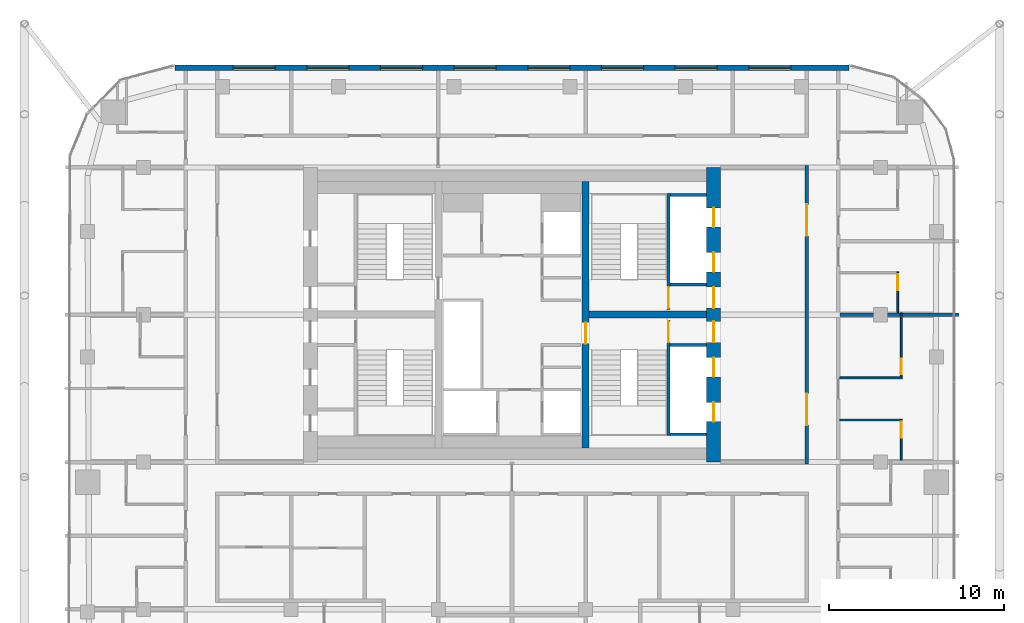
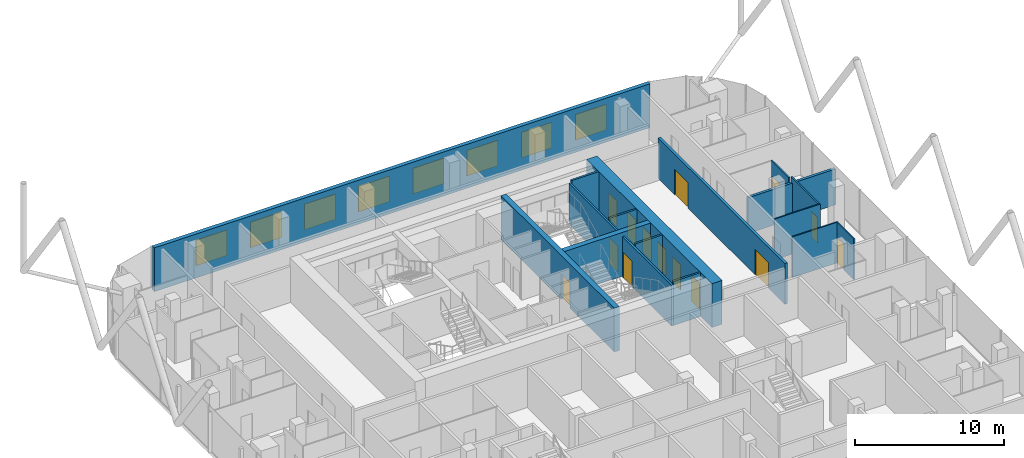
# One storey, part 26 of 28: 17 walls, 14 doors, 8 windows, 22 openings.
"""IFC4 building model written with IfcOpenShell, lengths in metres."""

from ifc_helpers import new_model, si_unit, direction, frame, frame_2d, origin, place, context, subcontext, project, spatial, rectangle, extrude, material, layer, layer_set, type_object, element, fill, save


model = new_model("IFC4")

# Units and contexts
model_context = context("Model", 3, precision=1e-05, world=origin(), true_north=direction((0.0, 1.0)))
body_context = subcontext(model_context, "Body", "Model", "MODEL_VIEW")
ifc_project = project(units=[si_unit("LENGTHUNIT", "METRE"), si_unit("AREAUNIT", "SQUARE_METRE"), si_unit("VOLUMEUNIT", "CUBIC_METRE"), si_unit("PLANEANGLEUNIT", "RADIAN"), si_unit("MASSUNIT", "GRAM", prefix="KILO")], contexts=[model_context])

# Site, building, storey
site_placement = place(None, origin())
site = spatial("IfcSite", under=ifc_project, at=site_placement, CompositionType="ELEMENT")
building_placement = place(site_placement, origin())
building = spatial("IfcBuilding", under=site, at=building_placement, Name="Marenta Gate Hotel Tower", CompositionType="ELEMENT")
storey_placement = place(building_placement, frame((0.0, 0.0, 212.89990234375)))
storey = spatial("IfcBuildingStorey", under=building, at=storey_placement, Name="L49", CompositionType="ELEMENT", Elevation=212.89990234375)

# Wall, openings, windows
ifc_material_1 = material(Name="Concrete C40 board-marked", Category="concrete")
ifc_layer_1 = layer(ifc_material_1, 0.300048828125)
ifc_layer_set_1 = layer_set([ifc_layer_1], Name="Concrete C40 board-marked")
wall_type_1 = type_object("IfcWallType", Name="Board-marked concrete wall 300 mm", PredefinedType="NOTDEFINED", material=ifc_layer_set_1)
wall_1_placement = place(storey_placement, frame((19.205810546875, 22.489990234375, 0.0), z_axis=(0.0, 0.0, 1.0), x_axis=(-1.0, 0.0, 0.0)))
wall_1 = element("IfcWall", 1, at=wall_1_placement, inside=storey, type_object=wall_type_1, Name="L49-CLD-N00", PredefinedType="NOTDEFINED", context=body_context, shape_type="SweptSolid", body=[
    extrude(rectangle(XDim=38.41162109375, YDim=0.300048828125, at=frame_2d((19.205810546875, 0.0))), origin(), (0.0, 0.0, 1.0), 3.60009765625),
])
opening_1_placement = place(wall_1_placement, frame((3.305908203125, 0.0, 0.89990234375)))
opening_1 = element("IfcOpeningElement", 2, at=opening_1_placement, cuts=wall_1, Name="Opening W1", PredefinedType="OPENING", context=body_context, shape_type="SweptSolid", body=[
    extrude(rectangle(XDim=2.39990234375, YDim=2.10009765625, at=frame_2d((1.199951171875, 1.050048828125))), frame((0.0, 0.14990234375, 0.0), z_axis=(0.0, -1.0, 0.0), x_axis=(1.0, 0.0, 0.0)), (0.0, 0.0, 1.0), 0.300048828125),
])
opening_2_placement = place(wall_1_placement, frame((7.505859375, 0.0, 0.89990234375)))
opening_2 = element("IfcOpeningElement", 3, at=opening_2_placement, cuts=wall_1, Name="Opening W1", PredefinedType="OPENING", context=body_context, shape_type="SweptSolid", body=[
    extrude(rectangle(XDim=2.39990234375, YDim=2.10009765625, at=frame_2d((1.199951171875, 1.050048828125))), frame((0.0, 0.14990234375, 0.0), z_axis=(0.0, -1.0, 0.0), x_axis=(1.0, 0.0, 0.0)), (0.0, 0.0, 1.0), 0.300048828125),
])
opening_3_placement = place(wall_1_placement, frame((11.705810546875, 0.0, 0.89990234375)))
opening_3 = element("IfcOpeningElement", 4, at=opening_3_placement, cuts=wall_1, Name="Opening W1", PredefinedType="OPENING", context=body_context, shape_type="SweptSolid", body=[
    extrude(rectangle(XDim=2.39990234375, YDim=2.10009765625, at=frame_2d((1.199951171875, 1.050048828125))), frame((0.0, 0.14990234375, 0.0), z_axis=(0.0, -1.0, 0.0), x_axis=(1.0, 0.0, 0.0)), (0.0, 0.0, 1.0), 0.300048828125),
])
opening_4_placement = place(wall_1_placement, frame((15.906005859375, 0.0, 0.89990234375)))
opening_4 = element("IfcOpeningElement", 5, at=opening_4_placement, cuts=wall_1, Name="Opening W1", PredefinedType="OPENING", context=body_context, shape_type="SweptSolid", body=[
    extrude(rectangle(XDim=2.39990234375, YDim=2.10009765625, at=frame_2d((1.199951171875, 1.050048828125))), frame((0.0, 0.14990234375, 0.0), z_axis=(0.0, -1.0, 0.0), x_axis=(1.0, 0.0, 0.0)), (0.0, 0.0, 1.0), 0.300048828125),
])
opening_5_placement = place(wall_1_placement, frame((20.10595703125, 0.0, 0.89990234375)))
opening_5 = element("IfcOpeningElement", 6, at=opening_5_placement, cuts=wall_1, Name="Opening W1", PredefinedType="OPENING", context=body_context, shape_type="SweptSolid", body=[
    extrude(rectangle(XDim=2.39990234375, YDim=2.10009765625, at=frame_2d((1.199951171875, 1.050048828125))), frame((0.0, 0.14990234375, 0.0), z_axis=(0.0, -1.0, 0.0), x_axis=(1.0, 0.0, 0.0)), (0.0, 0.0, 1.0), 0.300048828125),
])
opening_6_placement = place(wall_1_placement, frame((24.305908203125, 0.0, 0.89990234375)))
opening_6 = element("IfcOpeningElement", 7, at=opening_6_placement, cuts=wall_1, Name="Opening W1", PredefinedType="OPENING", context=body_context, shape_type="SweptSolid", body=[
    extrude(rectangle(XDim=2.39990234375, YDim=2.10009765625, at=frame_2d((1.199951171875, 1.050048828125))), frame((0.0, 0.14990234375, 0.0), z_axis=(0.0, -1.0, 0.0), x_axis=(1.0, 0.0, 0.0)), (0.0, 0.0, 1.0), 0.300048828125),
])
opening_7_placement = place(wall_1_placement, frame((28.505859375, 0.0, 0.89990234375)))
opening_7 = element("IfcOpeningElement", 8, at=opening_7_placement, cuts=wall_1, Name="Opening W1", PredefinedType="OPENING", context=body_context, shape_type="SweptSolid", body=[
    extrude(rectangle(XDim=2.39990234375, YDim=2.10009765625, at=frame_2d((1.199951171875, 1.050048828125))), frame((0.0, 0.14990234375, 0.0), z_axis=(0.0, -1.0, 0.0), x_axis=(1.0, 0.0, 0.0)), (0.0, 0.0, 1.0), 0.300048828125),
])
opening_8_placement = place(wall_1_placement, frame((32.705810546875, 0.0, 0.89990234375)))
opening_8 = element("IfcOpeningElement", 9, at=opening_8_placement, cuts=wall_1, Name="Opening W1", PredefinedType="OPENING", context=body_context, shape_type="SweptSolid", body=[
    extrude(rectangle(XDim=2.39990234375, YDim=2.10009765625, at=frame_2d((1.199951171875, 1.050048828125))), frame((0.0, 0.14990234375, 0.0), z_axis=(0.0, -1.0, 0.0), x_axis=(1.0, 0.0, 0.0)), (0.0, 0.0, 1.0), 0.300048828125),
])
ifc_material_2 = material(Name="Tinted insulated glass in bronze anodised frame", Category="glass")
window_type = type_object("IfcWindowType", Name="Window W1 2400x2100 bronze frame", PartitioningType="SINGLE_PANEL", PredefinedType="WINDOW", material=ifc_material_2)
window_1_placement = place(opening_1_placement, origin())
window_1 = element("IfcWindow", 10, at=window_1_placement, inside=storey, type_object=window_type, Name="Window W1", OverallHeight=2.10009765625, OverallWidth=2.39990234375, PartitioningType="SINGLE_PANEL", PredefinedType="WINDOW", context=body_context, shape_type="SweptSolid", body=[
    extrude(rectangle(XDim=2.39990234375, YDim=2.10009765625, at=frame_2d((1.199951171875, 1.050048828125))), frame((0.0, 0.030029296875, 0.0), z_axis=(0.0, -1.0, 0.0), x_axis=(1.0, 0.0, 0.0)), (0.0, 0.0, 1.0), 0.06005859375),
])
fill(opening_1, window_1)
window_2_placement = place(opening_2_placement, origin())
window_2 = element("IfcWindow", 11, at=window_2_placement, inside=storey, type_object=window_type, Name="Window W1", OverallHeight=2.10009765625, OverallWidth=2.39990234375, PartitioningType="SINGLE_PANEL", PredefinedType="WINDOW", context=body_context, shape_type="SweptSolid", body=[
    extrude(rectangle(XDim=2.39990234375, YDim=2.10009765625, at=frame_2d((1.199951171875, 1.050048828125))), frame((0.0, 0.030029296875, 0.0), z_axis=(0.0, -1.0, 0.0), x_axis=(1.0, 0.0, 0.0)), (0.0, 0.0, 1.0), 0.06005859375),
])
fill(opening_2, window_2)
window_3_placement = place(opening_3_placement, origin())
window_3 = element("IfcWindow", 12, at=window_3_placement, inside=storey, type_object=window_type, Name="Window W1", OverallHeight=2.10009765625, OverallWidth=2.39990234375, PartitioningType="SINGLE_PANEL", PredefinedType="WINDOW", context=body_context, shape_type="SweptSolid", body=[
    extrude(rectangle(XDim=2.39990234375, YDim=2.10009765625, at=frame_2d((1.199951171875, 1.050048828125))), frame((0.0, 0.030029296875, 0.0), z_axis=(0.0, -1.0, 0.0), x_axis=(1.0, 0.0, 0.0)), (0.0, 0.0, 1.0), 0.06005859375),
])
fill(opening_3, window_3)
window_4_placement = place(opening_4_placement, origin())
window_4 = element("IfcWindow", 13, at=window_4_placement, inside=storey, type_object=window_type, Name="Window W1", OverallHeight=2.10009765625, OverallWidth=2.39990234375, PartitioningType="SINGLE_PANEL", PredefinedType="WINDOW", context=body_context, shape_type="SweptSolid", body=[
    extrude(rectangle(XDim=2.39990234375, YDim=2.10009765625, at=frame_2d((1.199951171875, 1.050048828125))), frame((0.0, 0.030029296875, 0.0), z_axis=(0.0, -1.0, 0.0), x_axis=(1.0, 0.0, 0.0)), (0.0, 0.0, 1.0), 0.06005859375),
])
fill(opening_4, window_4)
window_5_placement = place(opening_5_placement, origin())
window_5 = element("IfcWindow", 14, at=window_5_placement, inside=storey, type_object=window_type, Name="Window W1", OverallHeight=2.10009765625, OverallWidth=2.39990234375, PartitioningType="SINGLE_PANEL", PredefinedType="WINDOW", context=body_context, shape_type="SweptSolid", body=[
    extrude(rectangle(XDim=2.39990234375, YDim=2.10009765625, at=frame_2d((1.199951171875, 1.050048828125))), frame((0.0, 0.030029296875, 0.0), z_axis=(0.0, -1.0, 0.0), x_axis=(1.0, 0.0, 0.0)), (0.0, 0.0, 1.0), 0.06005859375),
])
fill(opening_5, window_5)
window_6_placement = place(opening_6_placement, origin())
window_6 = element("IfcWindow", 15, at=window_6_placement, inside=storey, type_object=window_type, Name="Window W1", OverallHeight=2.10009765625, OverallWidth=2.39990234375, PartitioningType="SINGLE_PANEL", PredefinedType="WINDOW", context=body_context, shape_type="SweptSolid", body=[
    extrude(rectangle(XDim=2.39990234375, YDim=2.10009765625, at=frame_2d((1.199951171875, 1.050048828125))), frame((0.0, 0.030029296875, 0.0), z_axis=(0.0, -1.0, 0.0), x_axis=(1.0, 0.0, 0.0)), (0.0, 0.0, 1.0), 0.06005859375),
])
fill(opening_6, window_6)
window_7_placement = place(opening_7_placement, origin())
window_7 = element("IfcWindow", 16, at=window_7_placement, inside=storey, type_object=window_type, Name="Window W1", OverallHeight=2.10009765625, OverallWidth=2.39990234375, PartitioningType="SINGLE_PANEL", PredefinedType="WINDOW", context=body_context, shape_type="SweptSolid", body=[
    extrude(rectangle(XDim=2.39990234375, YDim=2.10009765625, at=frame_2d((1.199951171875, 1.050048828125))), frame((0.0, 0.030029296875, 0.0), z_axis=(0.0, -1.0, 0.0), x_axis=(1.0, 0.0, 0.0)), (0.0, 0.0, 1.0), 0.06005859375),
])
fill(opening_7, window_7)
window_8_placement = place(opening_8_placement, origin())
window_8 = element("IfcWindow", 17, at=window_8_placement, inside=storey, type_object=window_type, Name="Window W1", OverallHeight=2.10009765625, OverallWidth=2.39990234375, PartitioningType="SINGLE_PANEL", PredefinedType="WINDOW", context=body_context, shape_type="SweptSolid", body=[
    extrude(rectangle(XDim=2.39990234375, YDim=2.10009765625, at=frame_2d((1.199951171875, 1.050048828125))), frame((0.0, 0.030029296875, 0.0), z_axis=(0.0, -1.0, 0.0), x_axis=(1.0, 0.0, 0.0)), (0.0, 0.0, 1.0), 0.06005859375),
])
fill(opening_8, window_8)

# Wall, openings, doors
ifc_material_3 = material(Name="Concrete blockwork", Category="masonry")
ifc_layer_2 = layer(ifc_material_3, 0.199951171875)
ifc_layer_set_2 = layer_set([ifc_layer_2], Name="Concrete blockwork")
wall_type_2 = type_object("IfcWallType", Name="Core boundary wall 200 REI 180", PredefinedType="PARTITIONING", material=ifc_layer_set_2)
wall_2_placement = place(storey_placement, frame((16.800048828125, -0.10009765625, 0.0), z_axis=(0.0, 0.0, 1.0), x_axis=(0.0, 1.0, 0.0)))
wall_2 = element("IfcWall", 18, at=wall_2_placement, inside=storey, type_object=wall_type_2, Name="L49-CP-BW-E", PredefinedType="PARTITIONING", context=body_context, shape_type="SweptSolid", body=[
    extrude(rectangle(XDim=17.0, YDim=0.199951171875, at=frame_2d((8.5, 0.0))), origin(), (0.0, 0.0, 1.0), 3.340087890625),
])
opening_9_placement = place(wall_2_placement, frame((2.199951171875, 0.0, 0.0)))
opening_9 = element("IfcOpeningElement", 19, at=opening_9_placement, cuts=wall_2, Name="Opening ED-Ea-B", PredefinedType="OPENING", context=body_context, shape_type="SweptSolid", body=[
    extrude(rectangle(XDim=1.800048828125, YDim=2.10009765625, at=frame_2d((0.89990234375, 1.050048828125))), frame((0.0, 0.10009765625, 0.0), z_axis=(0.0, -1.0, 0.0), x_axis=(1.0, 0.0, 0.0)), (0.0, 0.0, 1.0), 0.199951171875),
])
opening_10_placement = place(wall_2_placement, frame((13.0, 0.0, 0.0)))
opening_10 = element("IfcOpeningElement", 20, at=opening_10_placement, cuts=wall_2, Name="Opening ED-Eb-B", PredefinedType="OPENING", context=body_context, shape_type="SweptSolid", body=[
    extrude(rectangle(XDim=1.800048828125, YDim=2.10009765625, at=frame_2d((0.89990234375, 1.050048828125))), frame((0.0, 0.10009765625, 0.0), z_axis=(0.0, -1.0, 0.0), x_axis=(1.0, 0.0, 0.0)), (0.0, 0.0, 1.0), 0.199951171875),
])
ifc_material_4 = material(Name="Steel", Category="steel")
door_type_1 = type_object("IfcDoorType", Name="Core lobby entrance door 1800x2100 EI 60", OperationType="DOUBLE_DOOR_SINGLE_SWING", PredefinedType="DOOR", material=ifc_material_4)
door_1_placement = place(opening_9_placement, origin())
door_1 = element("IfcDoor", 21, at=door_1_placement, inside=storey, type_object=door_type_1, Name="ED-Ea-B", OperationType="DOUBLE_DOOR_SINGLE_SWING", OverallHeight=2.10009765625, OverallWidth=1.800048828125, PredefinedType="DOOR", context=body_context, shape_type="SweptSolid", body=[
    extrude(rectangle(XDim=1.800048828125, YDim=2.10009765625, at=frame_2d((0.89990234375, 1.050048828125))), frame((0.0, 0.02490234375, 0.0), z_axis=(0.0, -1.0, 0.0), x_axis=(1.0, 0.0, 0.0)), (0.0, 0.0, 1.0), 0.050048828125),
])
fill(opening_9, door_1)
door_2_placement = place(opening_10_placement, origin())
door_2 = element("IfcDoor", 22, at=door_2_placement, inside=storey, type_object=door_type_1, Name="ED-Eb-B", OperationType="DOUBLE_DOOR_SINGLE_SWING", OverallHeight=2.10009765625, OverallWidth=1.800048828125, PredefinedType="DOOR", context=body_context, shape_type="SweptSolid", body=[
    extrude(rectangle(XDim=1.800048828125, YDim=2.10009765625, at=frame_2d((0.89990234375, 1.050048828125))), frame((0.0, 0.02490234375, 0.0), z_axis=(0.0, -1.0, 0.0), x_axis=(1.0, 0.0, 0.0)), (0.0, 0.0, 1.0), 0.050048828125),
])
fill(opening_10, door_2)

# Walls
ifc_material_5 = material(Name="Concrete C40", Category="concrete")
ifc_layer_3 = layer(ifc_material_5, 0.14990234375)
ifc_layer_set_3 = layer_set([ifc_layer_3], Name="Concrete C40")
wall_type_3 = type_object("IfcWallType", Name="Core shaft wall 150 REI 180", PredefinedType="SHEAR", material=ifc_layer_set_3)
for number, where, z_axis, x_axis, name in (
    (23, (9.0, 6.675048828125, 0.0), (0.0, 0.0, 1.0), (1.0, 0.0, 0.0), "L49-SHF-SW-ES-2"),
    (24, (9.0, 1.574951171875, 0.0), (0.0, 0.0, 1.0), (1.0, 0.0, 0.0), "L49-SHF-SW-ES-5"),
    (25, (9.0, 10.125, 0.0), (0.0, 0.0, 1.0), (1.0, 0.0, 0.0), "L49-SHF-SW-EN-2"),
    (26, (9.0, 15.22509765625, 0.0), (0.0, 0.0, 1.0), (1.0, 0.0, 0.0), "L49-SHF-SW-EN-5"),
):
    element("IfcWall", number, at=place(storey_placement, frame(where, z_axis=z_axis, x_axis=x_axis)), inside=storey, type_object=wall_type_3, Name=name, PredefinedType="SHEAR", context=body_context, shape_type="SweptSolid", body=[
        extrude(rectangle(XDim=2.10009765625, YDim=0.14990234375, at=frame_2d((1.050048828125, 0.0))), origin(), (0.0, 0.0, 1.0), 3.60009765625),
    ])

# Wall, opening, door
ifc_material_6 = material(Name="Concrete C40", Category="concrete")
ifc_layer_4 = layer(ifc_material_6, 0.14990234375)
ifc_layer_set_4 = layer_set([ifc_layer_4], Name="Concrete C40")
wall_type_4 = type_object("IfcWallType", Name="Core stair enclosure wall 150 REI 180", PredefinedType="SHEAR", material=ifc_layer_set_4)
wall_3_placement = place(storey_placement, frame((8.925048828125, 1.5, 0.0), z_axis=(0.0, 0.0, 1.0), x_axis=(0.0, 1.0, 0.0)))
wall_3 = element("IfcWall", 27, at=wall_3_placement, inside=storey, type_object=wall_type_4, Name="L49-SHF-SW-ES-3", PredefinedType="SHEAR", context=body_context, shape_type="SweptSolid", body=[
    extrude(rectangle(XDim=6.60009765625, YDim=0.14990234375, at=frame_2d((3.300048828125, 0.0))), origin(), (0.0, 0.0, 1.0), 3.340087890625),
])
opening_11_placement = place(wall_3_placement, frame((5.324951171875, 0.0, 0.0)))
opening_11 = element("IfcOpeningElement", 28, at=opening_11_placement, cuts=wall_3, Name="Opening SD-ES", PredefinedType="OPENING", context=body_context, shape_type="SweptSolid", body=[
    extrude(rectangle(XDim=1.199951171875, YDim=2.10009765625, at=frame_2d((0.60009765625, 1.050048828125))), frame((0.0, 0.074951171875, 0.0), z_axis=(0.0, -1.0, 0.0), x_axis=(1.0, 0.0, 0.0)), (0.0, 0.0, 1.0), 0.14990234375),
])
ifc_material_7 = material(Name="Steel", Category="steel")
door_type_2 = type_object("IfcDoorType", Name="Core stair door 1200x2100 FD60", OperationType="SINGLE_SWING_LEFT", PredefinedType="DOOR", material=ifc_material_7)
door_3_placement = place(opening_11_placement, origin())
door_3 = element("IfcDoor", 29, at=door_3_placement, inside=storey, type_object=door_type_2, Name="SD-ES", OperationType="SINGLE_SWING_LEFT", OverallHeight=2.10009765625, OverallWidth=1.199951171875, PredefinedType="DOOR", context=body_context, shape_type="SweptSolid", body=[
    extrude(rectangle(XDim=1.199951171875, YDim=2.10009765625, at=frame_2d((0.60009765625, 1.050048828125))), frame((0.0, 0.02490234375, 0.0), z_axis=(0.0, -1.0, 0.0), x_axis=(1.0, 0.0, 0.0)), (0.0, 0.0, 1.0), 0.050048828125),
])
fill(opening_11, door_3)

wall_4_placement = place(storey_placement, frame((8.925048828125, 8.699951171875, 0.0), z_axis=(0.0, 0.0, 1.0), x_axis=(0.0, 1.0, 0.0)))
wall_4 = element("IfcWall", 30, at=wall_4_placement, inside=storey, type_object=wall_type_4, Name="L49-SHF-SW-EN-3", PredefinedType="SHEAR", context=body_context, shape_type="SweptSolid", body=[
    extrude(rectangle(XDim=6.60009765625, YDim=0.14990234375, at=frame_2d((3.300048828125, 0.0))), origin(), (0.0, 0.0, 1.0), 3.340087890625),
])
opening_12_placement = place(wall_4_placement, frame((0.074951171875, 0.0, 0.0)))
opening_12 = element("IfcOpeningElement", 31, at=opening_12_placement, cuts=wall_4, Name="Opening SD-EN", PredefinedType="OPENING", context=body_context, shape_type="SweptSolid", body=[
    extrude(rectangle(XDim=1.199951171875, YDim=2.10009765625, at=frame_2d((0.60009765625, 1.050048828125))), frame((0.0, 0.074951171875, 0.0), z_axis=(0.0, -1.0, 0.0), x_axis=(1.0, 0.0, 0.0)), (0.0, 0.0, 1.0), 0.14990234375),
])
door_4_placement = place(opening_12_placement, origin())
door_4 = element("IfcDoor", 32, at=door_4_placement, inside=storey, type_object=door_type_2, Name="SD-EN", OperationType="SINGLE_SWING_LEFT", OverallHeight=2.10009765625, OverallWidth=1.199951171875, PredefinedType="DOOR", context=body_context, shape_type="SweptSolid", body=[
    extrude(rectangle(XDim=1.199951171875, YDim=2.10009765625, at=frame_2d((0.60009765625, 1.050048828125))), frame((0.0, 0.02490234375, 0.0), z_axis=(0.0, -1.0, 0.0), x_axis=(1.0, 0.0, 0.0)), (0.0, 0.0, 1.0), 0.050048828125),
])
fill(opening_12, door_4)

# Wall, openings, doors
ifc_material_8 = material(Name="Concrete C60", Category="concrete")
ifc_layer_5 = layer(ifc_material_8, 0.800048828125)
ifc_layer_set_5 = layer_set([ifc_layer_5], Name="Concrete C60")
wall_type_5 = type_object("IfcWallType", Name="Core wall 800 C60", PredefinedType="SHEAR", material=ifc_layer_set_5)
wall_5_placement = place(storey_placement, frame((11.5, 0.0, 0.0), z_axis=(0.0, 0.0, 1.0), x_axis=(0.0, 1.0, 0.0)))
wall_5 = element("IfcWall", 33, at=wall_5_placement, inside=storey, type_object=wall_type_5, Name="L49-CORE-E", PredefinedType="SHEAR", context=body_context, shape_type="SweptSolid", body=[
    extrude(rectangle(XDim=16.800048828125, YDim=0.800048828125, at=frame_2d((8.39990234375, 0.0))), origin(), (0.0, 0.0, 1.0), 3.60009765625),
])
opening_13_placement = place(wall_5_placement, frame((2.300048828125, 0.0, 0.0)))
opening_13 = element("IfcOpeningElement", 34, at=opening_13_placement, cuts=wall_5, Name="Opening LD-HR1", PredefinedType="OPENING", context=body_context, shape_type="SweptSolid", body=[
    extrude(rectangle(XDim=1.10009765625, YDim=2.10009765625, at=frame_2d((0.550048828125, 1.050048828125))), frame((0.0, 0.39990234375, 0.0), z_axis=(0.0, -1.0, 0.0), x_axis=(1.0, 0.0, 0.0)), (0.0, 0.0, 1.0), 0.800048828125),
])
opening_14_placement = place(wall_5_placement, frame((4.85009765625, 0.0, 0.0)))
opening_14 = element("IfcOpeningElement", 35, at=opening_14_placement, cuts=wall_5, Name="Opening LD-HR2", PredefinedType="OPENING", context=body_context, shape_type="SweptSolid", body=[
    extrude(rectangle(XDim=1.10009765625, YDim=2.10009765625, at=frame_2d((0.550048828125, 1.050048828125))), frame((0.0, 0.39990234375, 0.0), z_axis=(0.0, -1.0, 0.0), x_axis=(1.0, 0.0, 0.0)), (0.0, 0.0, 1.0), 0.800048828125),
])
opening_15_placement = place(wall_5_placement, frame((6.824951171875, 0.0, 0.0)))
opening_15 = element("IfcOpeningElement", 36, at=opening_15_placement, cuts=wall_5, Name="Opening PD-ES", PredefinedType="OPENING", context=body_context, shape_type="SweptSolid", body=[
    extrude(rectangle(XDim=1.199951171875, YDim=2.10009765625, at=frame_2d((0.60009765625, 1.050048828125))), frame((0.0, 0.39990234375, 0.0), z_axis=(0.0, -1.0, 0.0), x_axis=(1.0, 0.0, 0.0)), (0.0, 0.0, 1.0), 0.800048828125),
])
opening_16_placement = place(wall_5_placement, frame((13.39990234375, 0.0, 0.0)))
opening_16 = element("IfcOpeningElement", 37, at=opening_16_placement, cuts=wall_5, Name="Opening LD-HR4", PredefinedType="OPENING", context=body_context, shape_type="SweptSolid", body=[
    extrude(rectangle(XDim=1.10009765625, YDim=2.10009765625, at=frame_2d((0.550048828125, 1.050048828125))), frame((0.0, 0.39990234375, 0.0), z_axis=(0.0, -1.0, 0.0), x_axis=(1.0, 0.0, 0.0)), (0.0, 0.0, 1.0), 0.800048828125),
])
opening_17_placement = place(wall_5_placement, frame((10.85009765625, 0.0, 0.0)))
opening_17 = element("IfcOpeningElement", 38, at=opening_17_placement, cuts=wall_5, Name="Opening LD-HR3", PredefinedType="OPENING", context=body_context, shape_type="SweptSolid", body=[
    extrude(rectangle(XDim=1.10009765625, YDim=2.10009765625, at=frame_2d((0.550048828125, 1.050048828125))), frame((0.0, 0.39990234375, 0.0), z_axis=(0.0, -1.0, 0.0), x_axis=(1.0, 0.0, 0.0)), (0.0, 0.0, 1.0), 0.800048828125),
])
opening_18_placement = place(wall_5_placement, frame((8.77490234375, 0.0, 0.0)))
opening_18 = element("IfcOpeningElement", 39, at=opening_18_placement, cuts=wall_5, Name="Opening PD-EN", PredefinedType="OPENING", context=body_context, shape_type="SweptSolid", body=[
    extrude(rectangle(XDim=1.199951171875, YDim=2.10009765625, at=frame_2d((0.60009765625, 1.050048828125))), frame((0.0, 0.39990234375, 0.0), z_axis=(0.0, -1.0, 0.0), x_axis=(1.0, 0.0, 0.0)), (0.0, 0.0, 1.0), 0.800048828125),
])
ifc_material_9 = material(Name="Steel", Category="steel")
door_type_3 = type_object("IfcDoorType", Name="Core lift landing door 1100x2100 E 60", OperationType="SLIDING_TO_LEFT", PredefinedType="DOOR", material=ifc_material_9)
door_5_placement = place(opening_13_placement, origin())
door_5 = element("IfcDoor", 40, at=door_5_placement, inside=storey, type_object=door_type_3, Name="LD-HR1", OperationType="SLIDING_TO_LEFT", OverallHeight=2.10009765625, OverallWidth=1.10009765625, PredefinedType="DOOR", context=body_context, shape_type="SweptSolid", body=[
    extrude(rectangle(XDim=1.10009765625, YDim=2.10009765625, at=frame_2d((0.550048828125, 1.050048828125))), frame((0.0, 0.02490234375, 0.0), z_axis=(0.0, -1.0, 0.0), x_axis=(1.0, 0.0, 0.0)), (0.0, 0.0, 1.0), 0.050048828125),
])
fill(opening_13, door_5)
door_6_placement = place(opening_14_placement, origin())
door_6 = element("IfcDoor", 41, at=door_6_placement, inside=storey, type_object=door_type_3, Name="LD-HR2", OperationType="SLIDING_TO_LEFT", OverallHeight=2.10009765625, OverallWidth=1.10009765625, PredefinedType="DOOR", context=body_context, shape_type="SweptSolid", body=[
    extrude(rectangle(XDim=1.10009765625, YDim=2.10009765625, at=frame_2d((0.550048828125, 1.050048828125))), frame((0.0, 0.02490234375, 0.0), z_axis=(0.0, -1.0, 0.0), x_axis=(1.0, 0.0, 0.0)), (0.0, 0.0, 1.0), 0.050048828125),
])
fill(opening_14, door_6)
door_7_placement = place(opening_16_placement, origin())
door_7 = element("IfcDoor", 42, at=door_7_placement, inside=storey, type_object=door_type_3, Name="LD-HR4", OperationType="SLIDING_TO_LEFT", OverallHeight=2.10009765625, OverallWidth=1.10009765625, PredefinedType="DOOR", context=body_context, shape_type="SweptSolid", body=[
    extrude(rectangle(XDim=1.10009765625, YDim=2.10009765625, at=frame_2d((0.550048828125, 1.050048828125))), frame((0.0, 0.02490234375, 0.0), z_axis=(0.0, -1.0, 0.0), x_axis=(1.0, 0.0, 0.0)), (0.0, 0.0, 1.0), 0.050048828125),
])
fill(opening_16, door_7)
door_8_placement = place(opening_17_placement, origin())
door_8 = element("IfcDoor", 43, at=door_8_placement, inside=storey, type_object=door_type_3, Name="LD-HR3", OperationType="SLIDING_TO_LEFT", OverallHeight=2.10009765625, OverallWidth=1.10009765625, PredefinedType="DOOR", context=body_context, shape_type="SweptSolid", body=[
    extrude(rectangle(XDim=1.10009765625, YDim=2.10009765625, at=frame_2d((0.550048828125, 1.050048828125))), frame((0.0, 0.02490234375, 0.0), z_axis=(0.0, -1.0, 0.0), x_axis=(1.0, 0.0, 0.0)), (0.0, 0.0, 1.0), 0.050048828125),
])
fill(opening_17, door_8)
ifc_material_10 = material(Name="Steel", Category="steel")
door_type_4 = type_object("IfcDoorType", Name="Core lobby door 1200x2100 FD60", OperationType="SINGLE_SWING_LEFT", PredefinedType="DOOR", material=ifc_material_10)
door_9_placement = place(opening_15_placement, origin())
door_9 = element("IfcDoor", 44, at=door_9_placement, inside=storey, type_object=door_type_4, Name="PD-ES", OperationType="SINGLE_SWING_LEFT", OverallHeight=2.10009765625, OverallWidth=1.199951171875, PredefinedType="DOOR", context=body_context, shape_type="SweptSolid", body=[
    extrude(rectangle(XDim=1.199951171875, YDim=2.10009765625, at=frame_2d((0.60009765625, 1.050048828125))), frame((0.0, 0.02490234375, 0.0), z_axis=(0.0, -1.0, 0.0), x_axis=(1.0, 0.0, 0.0)), (0.0, 0.0, 1.0), 0.050048828125),
])
fill(opening_15, door_9)
door_10_placement = place(opening_18_placement, origin())
door_10 = element("IfcDoor", 45, at=door_10_placement, inside=storey, type_object=door_type_4, Name="PD-EN", OperationType="SINGLE_SWING_LEFT", OverallHeight=2.10009765625, OverallWidth=1.199951171875, PredefinedType="DOOR", context=body_context, shape_type="SweptSolid", body=[
    extrude(rectangle(XDim=1.199951171875, YDim=2.10009765625, at=frame_2d((0.60009765625, 1.050048828125))), frame((0.0, 0.02490234375, 0.0), z_axis=(0.0, -1.0, 0.0), x_axis=(1.0, 0.0, 0.0)), (0.0, 0.0, 1.0), 0.050048828125),
])
fill(opening_18, door_10)

# Wall, opening, door
ifc_material_11 = material(Name="Concrete C60", Category="concrete")
ifc_layer_6 = layer(ifc_material_11, 0.39990234375)
ifc_layer_set_6 = layer_set([ifc_layer_6], Name="Concrete C60")
wall_type_6 = type_object("IfcWallType", Name="Core web 400 C60", PredefinedType="SHEAR", material=ifc_layer_set_6)
wall_6_placement = place(storey_placement, frame((4.199951171875, 0.800048828125, 0.0), z_axis=(0.0, 0.0, 1.0), x_axis=(0.0, 1.0, 0.0)))
wall_6 = element("IfcWall", 46, at=wall_6_placement, inside=storey, type_object=wall_type_6, Name="L49-CORE-W2", PredefinedType="SHEAR", context=body_context, shape_type="SweptSolid", body=[
    extrude(rectangle(XDim=15.199951171875, YDim=0.39990234375, at=frame_2d((7.60009765625, 0.0))), origin(), (0.0, 0.0, 1.0), 3.60009765625),
])
opening_19_placement = place(wall_6_placement, frame((5.949951171875, 0.0, 0.0)))
opening_19 = element("IfcOpeningElement", 47, at=opening_19_placement, cuts=wall_6, Name="Opening WD-E", PredefinedType="OPENING", context=body_context, shape_type="SweptSolid", body=[
    extrude(rectangle(XDim=1.199951171875, YDim=2.10009765625, at=frame_2d((0.60009765625, 1.050048828125))), frame((0.0, 0.199951171875, 0.0), z_axis=(0.0, -1.0, 0.0), x_axis=(1.0, 0.0, 0.0)), (0.0, 0.0, 1.0), 0.39990234375),
])
door_11_placement = place(opening_19_placement, origin())
door_11 = element("IfcDoor", 48, at=door_11_placement, inside=storey, type_object=door_type_2, Name="WD-E", OperationType="SINGLE_SWING_LEFT", OverallHeight=2.10009765625, OverallWidth=1.199951171875, PredefinedType="DOOR", context=body_context, shape_type="SweptSolid", body=[
    extrude(rectangle(XDim=1.199951171875, YDim=2.10009765625, at=frame_2d((0.60009765625, 1.050048828125))), frame((0.0, 0.02490234375, 0.0), z_axis=(0.0, -1.0, 0.0), x_axis=(1.0, 0.0, 0.0)), (0.0, 0.0, 1.0), 0.050048828125),
])
fill(opening_19, door_11)

# Wall
wall_7_placement = place(storey_placement, frame((4.39990234375, 8.39990234375, 0.0), z_axis=(0.0, 0.0, 1.0), x_axis=(1.0, 0.0, 0.0)))
element("IfcWall", 49, at=wall_7_placement, inside=storey, type_object=wall_type_6, Name="L49-CORE-W4", PredefinedType="SHEAR", context=body_context, shape_type="SweptSolid", body=[
    extrude(rectangle(XDim=6.7001953125, YDim=0.39990234375, at=frame_2d((3.35009765625, 0.0))), origin(), (0.0, 0.0, 1.0), 3.60009765625),
])

# Wall, opening, door
ifc_material_12 = material(Name="Gypsum board on steel stud", Category="steel")
ifc_layer_7 = layer(ifc_material_12, 0.10009765625)
ifc_layer_set_7 = layer_set([ifc_layer_7], Name="Gypsum board on steel stud")
wall_type_7 = type_object("IfcWallType", Name="Room partition 100", PredefinedType="PARTITIONING", material=ifc_layer_set_7)
wall_8_placement = place(storey_placement, frame((22.199951171875, 0.10009765625, 0.0), z_axis=(0.0, 0.0, 1.0), x_axis=(0.0, 1.0, 0.0)))
wall_8 = element("IfcWall", 50, at=wall_8_placement, inside=storey, type_object=wall_type_7, Name="L49-PTN-W015", PredefinedType="PARTITIONING", context=body_context, shape_type="SweptSolid", body=[
    extrude(rectangle(XDim=2.349853515625, YDim=0.10009765625, at=frame_2d((1.1748046875, 0.0))), origin(), (0.0, 0.0, 1.0), 3.340087890625),
])
opening_20_placement = place(wall_8_placement, frame((1.300048828125, 0.0, 0.0)))
opening_20 = element("IfcOpeningElement", 51, at=opening_20_placement, cuts=wall_8, Name="Opening G17-29", PredefinedType="OPENING", context=body_context, shape_type="SweptSolid", body=[
    extrude(rectangle(XDim=0.89990234375, YDim=2.10009765625, at=frame_2d((0.449951171875, 1.050048828125))), frame((0.0, 0.050048828125, 0.0), z_axis=(0.0, -1.0, 0.0), x_axis=(1.0, 0.0, 0.0)), (0.0, 0.0, 1.0), 0.10009765625),
])
ifc_material_13 = material(Name="Timber door leaf", Category="wood")
door_type_5 = type_object("IfcDoorType", Name="Room inner door 900x2100", OperationType="NOTDEFINED", PredefinedType="DOOR", material=ifc_material_13)
door_12_placement = place(opening_20_placement, origin())
door_12 = element("IfcDoor", 52, at=door_12_placement, inside=storey, type_object=door_type_5, Name="L49-PD-D029", OperationType="SINGLE_SWING_RIGHT", OverallHeight=2.10009765625, OverallWidth=0.89990234375, PredefinedType="DOOR", context=body_context, shape_type="SweptSolid", body=[
    extrude(rectangle(XDim=0.89990234375, YDim=2.10009765625, at=frame_2d((0.449951171875, 1.050048828125))), frame((0.0, 0.02490234375, 0.0), z_axis=(0.0, -1.0, 0.0), x_axis=(1.0, 0.0, 0.0)), (0.0, 0.0, 1.0), 0.050048828125),
])
fill(opening_20, door_12)

wall_9_placement = place(storey_placement, frame((22.199951171875, 4.85009765625, 0.0), z_axis=(0.0, 0.0, 1.0), x_axis=(0.0, 1.0, 0.0)))
wall_9 = element("IfcWall", 53, at=wall_9_placement, inside=storey, type_object=wall_type_7, Name="L49-PTN-W016", PredefinedType="PARTITIONING", context=body_context, shape_type="SweptSolid", body=[
    extrude(rectangle(XDim=3.64990234375, YDim=0.10009765625, at=frame_2d((1.824951171875, 0.0))), origin(), (0.0, 0.0, 1.0), 3.340087890625),
])
opening_21_placement = place(wall_9_placement, frame((0.14990234375, 0.0, 0.0)))
opening_21 = element("IfcOpeningElement", 54, at=opening_21_placement, cuts=wall_9, Name="Opening G17-28", PredefinedType="OPENING", context=body_context, shape_type="SweptSolid", body=[
    extrude(rectangle(XDim=0.89990234375, YDim=2.10009765625, at=frame_2d((0.449951171875, 1.050048828125))), frame((0.0, 0.050048828125, 0.0), z_axis=(0.0, -1.0, 0.0), x_axis=(1.0, 0.0, 0.0)), (0.0, 0.0, 1.0), 0.10009765625),
])
ifc_material_14 = material(Name="Timber door leaf", Category="wood")
door_type_6 = type_object("IfcDoorType", Name="Guest bathroom door 900x2100", OperationType="NOTDEFINED", PredefinedType="DOOR", material=ifc_material_14)
door_13_placement = place(opening_21_placement, origin())
door_13 = element("IfcDoor", 55, at=door_13_placement, inside=storey, type_object=door_type_6, Name="L49-PD-D028", OperationType="SINGLE_SWING_LEFT", OverallHeight=2.10009765625, OverallWidth=0.89990234375, PredefinedType="DOOR", context=body_context, shape_type="SweptSolid", body=[
    extrude(rectangle(XDim=0.89990234375, YDim=2.10009765625, at=frame_2d((0.449951171875, 1.050048828125))), frame((0.0, 0.02490234375, 0.0), z_axis=(0.0, -1.0, 0.0), x_axis=(1.0, 0.0, 0.0)), (0.0, 0.0, 1.0), 0.050048828125),
])
fill(opening_21, door_13)

wall_10_placement = place(storey_placement, frame((22.0, 8.5, 0.0), z_axis=(0.0, 0.0, 1.0), x_axis=(0.0, 1.0, 0.0)))
wall_10 = element("IfcWall", 56, at=wall_10_placement, inside=storey, type_object=wall_type_7, Name="L49-PTN-W017", PredefinedType="PARTITIONING", context=body_context, shape_type="SweptSolid", body=[
    extrude(rectangle(XDim=2.35009765625, YDim=0.10009765625, at=frame_2d((1.175048828125, 0.0))), origin(), (0.0, 0.0, 1.0), 3.340087890625),
])
opening_22_placement = place(wall_10_placement, frame((1.300048828125, 0.0, 0.0)))
opening_22 = element("IfcOpeningElement", 57, at=opening_22_placement, cuts=wall_10, Name="Opening G17-31", PredefinedType="OPENING", context=body_context, shape_type="SweptSolid", body=[
    extrude(rectangle(XDim=0.89990234375, YDim=2.10009765625, at=frame_2d((0.449951171875, 1.050048828125))), frame((0.0, 0.050048828125, 0.0), z_axis=(0.0, -1.0, 0.0), x_axis=(1.0, 0.0, 0.0)), (0.0, 0.0, 1.0), 0.10009765625),
])
door_14_placement = place(opening_22_placement, origin())
door_14 = element("IfcDoor", 58, at=door_14_placement, inside=storey, type_object=door_type_6, Name="L49-PD-D031", OperationType="SINGLE_SWING_RIGHT", OverallHeight=2.10009765625, OverallWidth=0.89990234375, PredefinedType="DOOR", context=body_context, shape_type="SweptSolid", body=[
    extrude(rectangle(XDim=0.89990234375, YDim=2.10009765625, at=frame_2d((0.449951171875, 1.050048828125))), frame((0.0, 0.02490234375, 0.0), z_axis=(0.0, -1.0, 0.0), x_axis=(1.0, 0.0, 0.0)), (0.0, 0.0, 1.0), 0.050048828125),
])
fill(opening_22, door_14)

# Walls
wall_11_placement = place(storey_placement, frame((18.699951171875, 2.39990234375, 0.0), z_axis=(0.0, 0.0, 1.0), x_axis=(1.0, 0.0, 0.0)))
element("IfcWall", 59, at=wall_11_placement, inside=storey, type_object=wall_type_7, Name="L49-PTN-W086", PredefinedType="PARTITIONING", context=body_context, shape_type="SweptSolid", body=[
    extrude(rectangle(XDim=3.449951171875, YDim=0.10009765625, at=frame_2d((1.72509765625, 0.0))), origin(), (0.0, 0.0, 1.0), 3.340087890625),
])
wall_12_placement = place(storey_placement, frame((18.699951171875, 4.800048828125, 0.0), z_axis=(0.0, 0.0, 1.0), x_axis=(1.0, 0.0, 0.0)))
element("IfcWall", 60, at=wall_12_placement, inside=storey, type_object=wall_type_7, Name="L49-PTN-W092", PredefinedType="PARTITIONING", context=body_context, shape_type="SweptSolid", body=[
    extrude(rectangle(XDim=3.550048828125, YDim=0.10009765625, at=frame_2d((1.77490234375, 0.0))), origin(), (0.0, 0.0, 1.0), 3.340087890625),
])
ifc_material_15 = material(Name="Gypsum board on steel stud", Category="steel")
ifc_layer_8 = layer(ifc_material_15, 0.199951171875)
ifc_layer_set_8 = layer_set([ifc_layer_8], Name="Gypsum board on steel stud")
wall_type_8 = type_object("IfcWallType", Name="Room party wall 200 EI 60", PredefinedType="PARTITIONING", material=ifc_layer_set_8)
wall_13_placement = place(storey_placement, frame((18.699951171875, 8.39990234375, 0.0), z_axis=(0.0, 0.0, 1.0), x_axis=(1.0, 0.0, 0.0)))
element("IfcWall", 61, at=wall_13_placement, inside=storey, type_object=wall_type_8, Name="L49-PTN-W099", PredefinedType="PARTITIONING", context=body_context, shape_type="SweptSolid", body=[
    extrude(rectangle(XDim=6.800048828125, YDim=0.199951171875, at=frame_2d((3.39990234375, 0.0))), origin(), (0.0, 0.0, 1.0), 2.940185546875),
])

save(model, "model.ifc")
